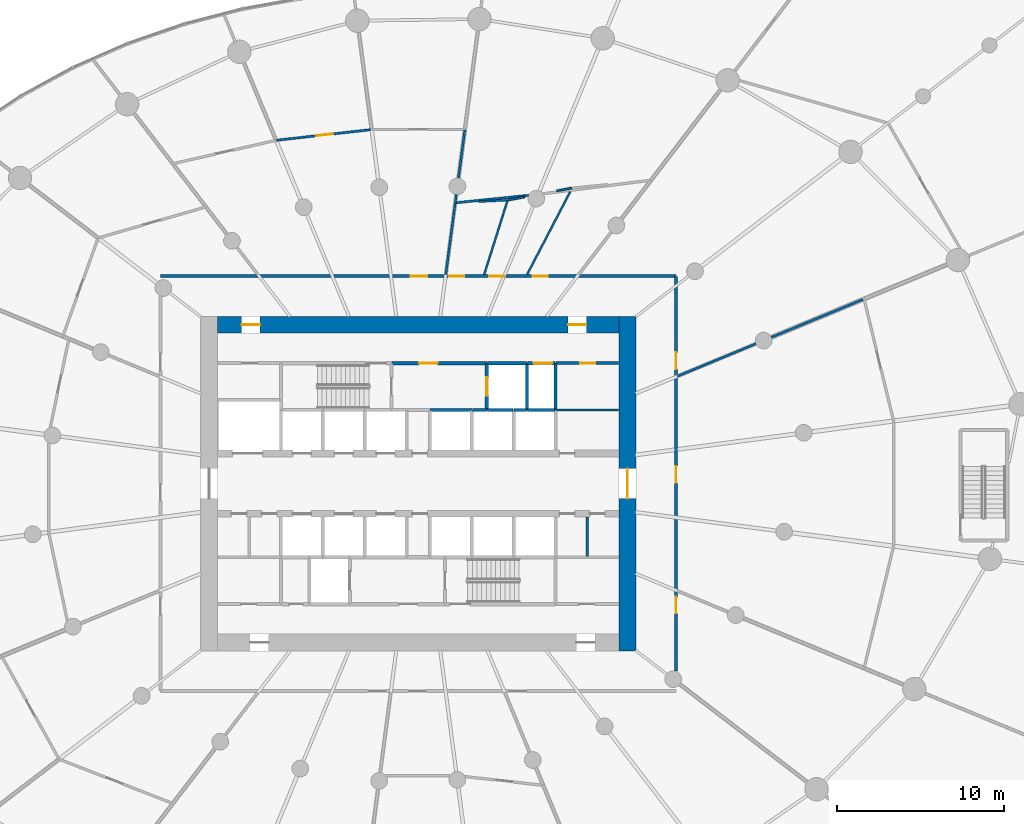
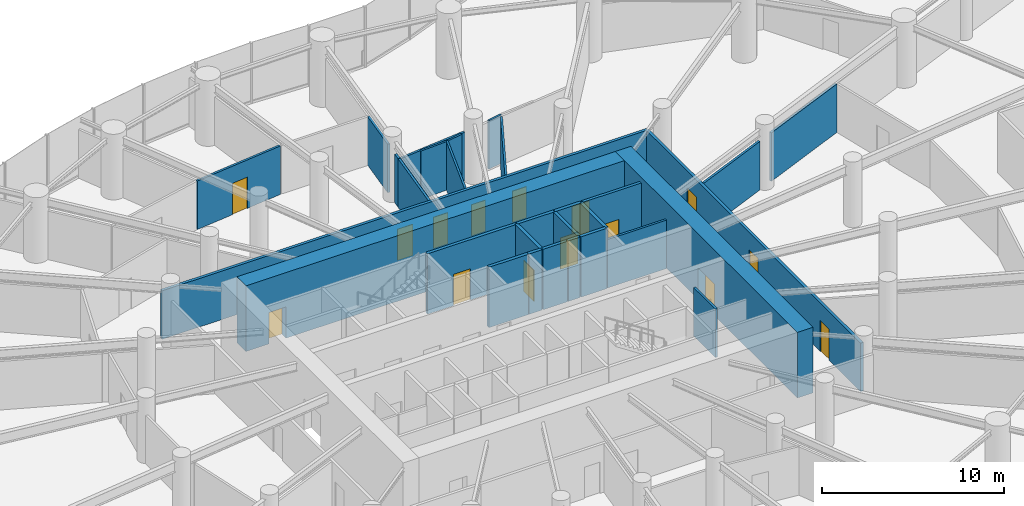
# One storey, part 17 of 24: 30 walls, 15 doors, 15 openings.
"""IFC4 building model written with IfcOpenShell, lengths in metres."""

import ifcopenshell
import ifcopenshell.guid

model = None  # the IFC model being written
_history = None  # IfcOwnerHistory: only IFC2X3 demands one
_inside = {}  # id of a spatial element -> (the spatial element, [elements in it])
_under = {}  # id of a project, library or spatial element -> (it, [spatial elements below it])
_declared = {}  # id of a project -> (the project, [libraries it declares])
_typed = {}  # id of a type object -> (the type object, [elements of that type])
_made_of = {}  # id of a material, layer set ... -> (it, [elements and type objects made of it])


def new_model(schema):
    """Start an empty IFC model of exactly this schema.

    Asked for "IFC4X3", IfcOpenShell would pick the latest addendum, in which some entities
    have other attributes; the version numbers below select the first issue.
    IFC2X3 requires an IfcOwnerHistory on every rooted entity: one is made here for all.
    """
    global model, _history
    if schema == "IFC4X3":
        model = ifcopenshell.file(schema_version=(4, 3, 0, 0))
    else:
        model = ifcopenshell.file(schema=schema)
    _inside.clear()
    _under.clear()
    _declared.clear()
    _typed.clear()
    _made_of.clear()
    _history = None
    if model.schema == "IFC2X3":
        org = make("IfcOrganization", Name="unknown")
        user = make(
            "IfcPersonAndOrganization",
            ThePerson=make("IfcPerson", FamilyName="unknown"),
            TheOrganization=org,
        )
        app = make(
            "IfcApplication",
            ApplicationDeveloper=org,
            Version="unknown",
            ApplicationFullName="unknown",
            ApplicationIdentifier="unknown",
        )
        _history = make(
            "IfcOwnerHistory",
            OwningUser=user,
            OwningApplication=app,
            ChangeAction="ADDED",
            CreationDate=0,
        )
    return model


def make(cls, **values):
    """One entity of the class cls with the attributes given. An attribute that is None is left unset."""
    return model.create_entity(
        cls, **{name: value for name, value in values.items() if value is not None}
    )


def rooted(cls, **values):
    """An entity with a GlobalId (a new one), such as an element, a storey or a relation."""
    return make(cls, GlobalId=ifcopenshell.guid.new(), OwnerHistory=_history, **values)


def si_unit(unit_type, name, prefix=None):
    """IfcSIUnit, for example si_unit("LENGTHUNIT", "METRE", prefix="MILLI")."""
    return make("IfcSIUnit", UnitType=unit_type, Prefix=prefix, Name=name)


def assignment(units):
    """IfcUnitAssignment: the units of a project."""
    return None if units is None else make("IfcUnitAssignment", Units=units)


def point(xyz):
    """IfcCartesianPoint."""
    return None if xyz is None else make("IfcCartesianPoint", Coordinates=xyz)


def direction(xyz):
    """IfcDirection."""
    return None if xyz is None else make("IfcDirection", DirectionRatios=xyz)


def frame(location, z_axis=None, x_axis=None):
    """IfcAxis2Placement3D, a coordinate frame: its origin and axes. An axis left out is left unset."""
    return make(
        "IfcAxis2Placement3D",
        Location=point(location),
        Axis=direction(z_axis),
        RefDirection=direction(x_axis),
    )


def frame_2d(location, x_axis=None):
    """IfcAxis2Placement2D, a coordinate frame in the plane: its origin and x axis."""
    return make(
        "IfcAxis2Placement2D", Location=point(location), RefDirection=direction(x_axis)
    )


def origin():
    """The frame at (0, 0, 0) with its axes left unset."""
    return frame((0.0, 0.0, 0.0))


def place(relative_to, where):
    """IfcLocalPlacement: puts the frame where relative to a parent placement (None: the world)."""
    return make(
        "IfcLocalPlacement", PlacementRelTo=relative_to, RelativePlacement=where
    )


def context(
    kind, dimensions, precision=None, world=None, true_north=None, identifier=None
):
    """IfcGeometricRepresentationContext, for example the 3D "Model" context."""
    return make(
        "IfcGeometricRepresentationContext",
        ContextIdentifier=identifier,
        ContextType=kind,
        CoordinateSpaceDimension=dimensions,
        Precision=precision,
        WorldCoordinateSystem=world,
        TrueNorth=true_north,
    )


def subcontext(parent, identifier, kind, view, scale=None):
    """IfcGeometricRepresentationSubContext, for example "Body" below "Model"."""
    return make(
        "IfcGeometricRepresentationSubContext",
        ContextIdentifier=identifier,
        ContextType=kind,
        ParentContext=parent,
        TargetScale=scale,
        TargetView=view,
    )


def project(units=None, contexts=None):
    """IfcProject with its units and contexts."""
    return rooted(
        "IfcProject",
        Name="project",
        RepresentationContexts=contexts,
        UnitsInContext=assignment(units),
    )


def spatial(cls, under=None, at=None, **own):
    """A site, building, storey or space (cls), placed at a placement, below another one or the project."""
    s = rooted(cls, ObjectPlacement=at, **own)
    if under is not None:
        _under.setdefault(under.id(), (under, []))[1].append(s)
    return s


def profile(cls, at=None, kind="AREA", **sizes):
    """A parametric profile (cls). Its sizes go by their IFC names, for example OverallWidth=200.0."""
    return make(cls, ProfileType=kind, Position=at, **sizes)


def rectangle(**sizes):
    """IfcRectangleProfileDef."""
    return profile("IfcRectangleProfileDef", **sizes)


def extrude(swept, where, along, depth):
    """IfcExtrudedAreaSolid: the profile swept, set in the frame where, extruded along a direction by depth."""
    return make(
        "IfcExtrudedAreaSolid",
        SweptArea=swept,
        Position=where,
        ExtrudedDirection=direction(along),
        Depth=depth,
    )


def shape(context_of_items, identifier, shape_type, items):
    """IfcShapeRepresentation: the items that make up one representation, for example the "Body"."""
    return make(
        "IfcShapeRepresentation",
        ContextOfItems=context_of_items,
        RepresentationIdentifier=identifier,
        RepresentationType=shape_type,
        Items=items,
    )


def source(mapping_origin, context_of_items, identifier, shape_type, items):
    """IfcRepresentationMap: a shape defined once, which mapped items show again and again."""
    return make(
        "IfcRepresentationMap",
        MappingOrigin=mapping_origin,
        MappedRepresentation=shape(context_of_items, identifier, shape_type, items),
    )


def transform(
    local_origin,
    x_axis=None,
    y_axis=None,
    z_axis=None,
    scale=None,
    scale2=None,
    scale3=None,
    uniform=True,
):
    """IfcCartesianTransformationOperator3D, or its non-uniform kind. x_axis, y_axis, z_axis: its Axis1, 2, 3."""
    if uniform:
        return make(
            "IfcCartesianTransformationOperator3D",
            Axis1=direction(x_axis),
            Axis2=direction(y_axis),
            LocalOrigin=point(local_origin),
            Scale=scale,
            Axis3=direction(z_axis),
        )
    return make(
        "IfcCartesianTransformationOperator3DnonUniform",
        Axis1=direction(x_axis),
        Axis2=direction(y_axis),
        LocalOrigin=point(local_origin),
        Scale=scale,
        Axis3=direction(z_axis),
        Scale2=scale2,
        Scale3=scale3,
    )


def mapped(mapping_source, mapping_target):
    """IfcMappedItem: shows the shape of a source again, moved by a transform."""
    return make(
        "IfcMappedItem", MappingSource=mapping_source, MappingTarget=mapping_target
    )


def material(Name=None, Category=None):
    """IfcMaterial."""
    return make("IfcMaterial", Name=Name, Category=Category)


def layer(
    of_material, thickness, ventilated=None, Name=None, Category=None, Priority=None
):
    """IfcMaterialLayer: one layer of a wall or slab, of a material (None: an air gap)."""
    return make(
        "IfcMaterialLayer",
        Material=of_material,
        LayerThickness=thickness,
        IsVentilated=ventilated,
        Name=Name,
        Category=Category,
        Priority=Priority,
    )


def layer_set(layers, Name=None):
    """IfcMaterialLayerSet."""
    return make("IfcMaterialLayerSet", MaterialLayers=layers, LayerSetName=Name)


def made_of(thing, what):
    """Note that an element or type object is made of a material, layer set ...; save() writes the relation."""
    if what is not None:
        _made_of.setdefault(what.id(), (what, []))[1].append(thing)
    return thing


def type_object(cls, material=None, **own):
    """A type object (cls), such as IfcWallType, which elements share."""
    return made_of(rooted(cls, **own), material)


def element(
    cls,
    number,
    at=None,
    inside=None,
    cuts=None,
    type_object=None,
    material=None,
    context=None,
    identifier="Body",
    shape_type=None,
    held_by="IfcProductDefinitionShape",
    body=None,
    shapes=None,
    **own,
):
    """One element of the class cls, such as IfcWall. Its Tag is "e" and its number.

    at: its placement. inside: the storey or other place that contains it. cuts: it is an
    opening in that element (IfcRelVoidsElement). A single representation is given by context,
    identifier, shape_type and body (its items); several are given by shapes. held_by: the class
    of the entity that holds the representations. save() writes the other relations.
    """
    e = rooted(cls, Tag="e%d" % number, ObjectPlacement=at, **own)
    if body is not None:
        shapes = [shape(context, identifier, shape_type, body)]
    if shapes is not None:
        e.Representation = make(held_by, Representations=shapes)
    if inside is not None:
        _inside.setdefault(inside.id(), (inside, []))[1].append(e)
    if cuts is not None:
        rooted(
            "IfcRelVoidsElement", RelatingBuildingElement=cuts, RelatedOpeningElement=e
        )
    if type_object is not None:
        _typed.setdefault(type_object.id(), (type_object, []))[1].append(e)
    return made_of(e, material)


def fill(opening, filler):
    """IfcRelFillsElement: the door or window that sits in an opening."""
    return rooted(
        "IfcRelFillsElement",
        RelatingOpeningElement=opening,
        RelatedBuildingElement=filler,
    )


def aggregate(whole, parts):
    """IfcRelAggregates: a whole, such as a stair, and the parts it consists of."""
    return rooted("IfcRelAggregates", RelatingObject=whole, RelatedObjects=parts)


def save(model, path):
    """Write the relations noted so far, then the file.

    IfcRelAggregates (storeys below a building ...), IfcRelContainedInSpatialStructure (elements
    in a storey), IfcRelDefinesByType, IfcRelAssociatesMaterial and IfcRelDeclares: one each for
    every whole, place, type object, material and project.
    """
    for whole, parts in _under.values():
        aggregate(whole, parts)
    for where, things in _inside.values():
        rooted(
            "IfcRelContainedInSpatialStructure",
            RelatedElements=things,
            RelatingStructure=where,
        )
    for kind, things in _typed.values():
        rooted("IfcRelDefinesByType", RelatedObjects=things, RelatingType=kind)
    for what, things in _made_of.values():
        rooted("IfcRelAssociatesMaterial", RelatedObjects=things, RelatingMaterial=what)
    for by, libraries in _declared.values():
        rooted("IfcRelDeclares", RelatingContext=by, RelatedDefinitions=libraries)
    model.write(path)


model = new_model("IFC4")

# Units and contexts
model_context = context("Model", 3, precision=1e-05, world=origin(), true_north=direction((0.0, 1.0)))
body_context = subcontext(model_context, "Body", "Model", "MODEL_VIEW")
ifc_project = project(units=[si_unit("LENGTHUNIT", "METRE"), si_unit("AREAUNIT", "SQUARE_METRE"), si_unit("VOLUMEUNIT", "CUBIC_METRE"), si_unit("PLANEANGLEUNIT", "RADIAN"), si_unit("MASSUNIT", "GRAM", prefix="KILO")], contexts=[model_context])

# Site, building, storey
site_placement = place(None, origin())
site = spatial("IfcSite", under=ifc_project, at=site_placement, CompositionType="ELEMENT")
building_placement = place(site_placement, origin())
building = spatial("IfcBuilding", under=site, at=building_placement, Name="Spindrift Exchange Tower", CompositionType="ELEMENT")
storey_placement = place(building_placement, frame((0.0, 0.0, 5.0)))
storey = spatial("IfcBuildingStorey", under=building, at=storey_placement, Name="L01", CompositionType="ELEMENT", Elevation=5.0)

# Wall, opening, door
ifc_material_1 = material(Name="Concrete 80 MPa", Category="concrete")
ifc_layer_1 = layer(ifc_material_1, 1.0)
ifc_layer_set_1 = layer_set([ifc_layer_1], Name="RC Core Wall 1000 Concrete 80 MPa")
wall_type_1 = type_object("IfcWallType", Name="RC Core Wall 1000 Concrete 80 MPa", PredefinedType="SHEAR", material=ifc_layer_set_1)
wall_1_placement = place(storey_placement, frame((64.5, 38.0, 0.0), z_axis=(0.0, 0.0, 1.0), x_axis=(0.0, 1.0, 0.0)))
wall_1 = element("IfcWall", 1, at=wall_1_placement, inside=storey, type_object=wall_type_1, Name="Core wall E L01", PredefinedType="SHEAR", context=body_context, shape_type="SweptSolid", body=[
    extrude(rectangle(XDim=20.0, YDim=1.0, at=frame_2d((10.0, 0.0))), origin(), (0.0, 0.0, 1.0), 4.39990234375),
])
opening_1_placement = place(wall_1_placement, frame((9.10009765625, 0.0, 0.0)))
opening_1 = element("IfcOpeningElement", 2, at=opening_1_placement, cuts=wall_1, Name="Opening L01-D2", PredefinedType="OPENING", context=body_context, shape_type="SweptSolid", body=[
    extrude(rectangle(XDim=1.800048828125, YDim=2.10009765625, at=frame_2d((0.89990234375, 1.050048828125))), frame((0.0, 0.510009765625, 0.0), z_axis=(0.0, -1.0, 0.0), x_axis=(1.0, 0.0, 0.0)), (0.0, 0.0, 1.0), 1.02001953125),
])
ifc_material_2 = material(Name="Timber-core fire door", Category="wood")
door_type_1 = type_object("IfcDoorType", Name="DR-LOBBY-1800", OperationType="NOTDEFINED", PredefinedType="DOOR", material=ifc_material_2)
shared_shape_1 = source(origin(), body_context, "Body", "SweptSolid", [
    extrude(rectangle(XDim=1.800048828125, YDim=2.10009765625, at=frame_2d((0.89990234375, 1.050048828125))), frame((0.0, 0.02490234375, 0.0), z_axis=(0.0, -1.0, 0.0), x_axis=(1.0, 0.0, 0.0)), (0.0, 0.0, 1.0), 0.050048828125),
])
door_1_placement = place(opening_1_placement, origin())
door_1 = element("IfcDoor", 3, at=door_1_placement, inside=storey, type_object=door_type_1, Name="L01 Lobby door 2", OperationType="SINGLE_SWING_RIGHT", OverallHeight=2.10009765625, OverallWidth=1.800048828125, PredefinedType="DOOR", context=body_context, shape_type="MappedRepresentation", body=[
    mapped(shared_shape_1, transform((0.0, 0.0, 0.0), scale=1.0)),
])
fill(opening_1, door_1)

# Wall, openings, doors
wall_2_placement = place(storey_placement, frame((64.0, 57.5, 0.0), z_axis=(0.0, 0.0, 1.0), x_axis=(-1.0, 0.0, 0.0)))
wall_2 = element("IfcWall", 4, at=wall_2_placement, inside=storey, type_object=wall_type_1, Name="Core wall N L01", PredefinedType="SHEAR", context=body_context, shape_type="SweptSolid", body=[
    extrude(rectangle(XDim=24.0, YDim=1.0, at=frame_2d((12.0, 0.0))), origin(), (0.0, 0.0, 1.0), 4.39990234375),
])
opening_2_placement = place(wall_2_placement, frame((21.449951171875, 0.0, 0.0)))
opening_2 = element("IfcOpeningElement", 5, at=opening_2_placement, cuts=wall_2, Name="Opening L01-D20", PredefinedType="OPENING", context=body_context, shape_type="SweptSolid", body=[
    extrude(rectangle(XDim=1.10009765625, YDim=2.10009765625, at=frame_2d((0.550048828125, 1.050048828125))), frame((0.0, 0.510009765625, 0.0), z_axis=(0.0, -1.0, 0.0), x_axis=(1.0, 0.0, 0.0)), (0.0, 0.0, 1.0), 1.02001953125),
])
opening_3_placement = place(wall_2_placement, frame((1.949951171875, 0.0, 0.0)))
opening_3 = element("IfcOpeningElement", 6, at=opening_3_placement, cuts=wall_2, Name="Opening L01-D21", PredefinedType="OPENING", context=body_context, shape_type="SweptSolid", body=[
    extrude(rectangle(XDim=1.10009765625, YDim=2.10009765625, at=frame_2d((0.550048828125, 1.050048828125))), frame((0.0, 0.510009765625, 0.0), z_axis=(0.0, -1.0, 0.0), x_axis=(1.0, 0.0, 0.0)), (0.0, 0.0, 1.0), 1.02001953125),
])
ifc_material_3 = material(Name="Steel fire door", Category="steel")
door_type_2 = type_object("IfcDoorType", Name="DR-STAIR-1100", OperationType="NOTDEFINED", PredefinedType="DOOR", material=ifc_material_3)
shared_shape_2 = source(origin(), body_context, "Body", "SweptSolid", [
    extrude(rectangle(XDim=1.10009765625, YDim=2.10009765625, at=frame_2d((0.550048828125, 1.050048828125))), frame((0.0, 0.02490234375, 0.0), z_axis=(0.0, -1.0, 0.0), x_axis=(1.0, 0.0, 0.0)), (0.0, 0.0, 1.0), 0.050048828125),
])
door_2_placement = place(opening_2_placement, origin())
door_2 = element("IfcDoor", 7, at=door_2_placement, inside=storey, type_object=door_type_2, Name="L01 Stair door 20", OperationType="SINGLE_SWING_RIGHT", OverallHeight=2.10009765625, OverallWidth=1.10009765625, PredefinedType="DOOR", context=body_context, shape_type="MappedRepresentation", body=[
    mapped(shared_shape_2, transform((0.0, 0.0, 0.0), scale=1.0)),
])
fill(opening_2, door_2)
door_3_placement = place(opening_3_placement, origin())
door_3 = element("IfcDoor", 8, at=door_3_placement, inside=storey, type_object=door_type_2, Name="L01 Stair door 21", OperationType="SINGLE_SWING_LEFT", OverallHeight=2.10009765625, OverallWidth=1.10009765625, PredefinedType="DOOR", context=body_context, shape_type="MappedRepresentation", body=[
    mapped(shared_shape_2, transform((0.0, 0.0, 0.0), scale=1.0)),
])
fill(opening_3, door_3)

# Wall, opening, door
ifc_material_4 = material(Name="Fire-rated plasterboard partition", Category="gypsum")
ifc_layer_2 = layer(ifc_material_4, 0.179931640625)
ifc_layer_set_2 = layer_set([ifc_layer_2], Name="W-CORR-180")
wall_type_2 = type_object("IfcWallType", Name="W-CORR-180", PredefinedType="PARTITIONING", material=ifc_layer_set_2)
wall_3_placement = place(storey_placement, frame((63.97998046875, 55.199951171875, 0.0), z_axis=(0.0, 0.0, 1.0), x_axis=(-1.0, 0.0, 0.0)))
wall_3 = element("IfcWall", 9, at=wall_3_placement, inside=storey, type_object=wall_type_2, Name="L01 Partition wall 68", PredefinedType="PARTITIONING", context=body_context, shape_type="SweptSolid", body=[
    extrude(rectangle(XDim=3.75, YDim=0.179931640625, at=frame_2d((1.875, 0.0))), origin(), (0.0, 0.0, 1.0), 4.050048828125),
])
opening_4_placement = place(wall_3_placement, frame((1.39990234375, 0.0, 0.0)))
opening_4 = element("IfcOpeningElement", 10, at=opening_4_placement, cuts=wall_3, Name="Opening L01-D57", PredefinedType="OPENING", context=body_context, shape_type="SweptSolid", body=[
    extrude(rectangle(XDim=0.89990234375, YDim=2.10009765625, at=frame_2d((0.449951171875, 1.050048828125))), frame((0.0, 0.099853515625, 0.0), z_axis=(0.0, -1.0, 0.0), x_axis=(1.0, 0.0, 0.0)), (0.0, 0.0, 1.0), 0.199951171875),
])
ifc_material_5 = material(Name="Steel access door", Category="steel")
door_type_3 = type_object("IfcDoorType", Name="DR-RISER-900", OperationType="NOTDEFINED", PredefinedType="DOOR", material=ifc_material_5)
shared_shape_3 = source(origin(), body_context, "Body", "SweptSolid", [
    extrude(rectangle(XDim=0.89990234375, YDim=2.10009765625, at=frame_2d((0.449951171875, 1.050048828125))), frame((0.0, 0.02490234375, 0.0), z_axis=(0.0, -1.0, 0.0), x_axis=(1.0, 0.0, 0.0)), (0.0, 0.0, 1.0), 0.050048828125),
])
door_4_placement = place(opening_4_placement, origin())
door_4 = element("IfcDoor", 11, at=door_4_placement, inside=storey, type_object=door_type_3, Name="L01 Riser door 57", OperationType="SINGLE_SWING_LEFT", OverallHeight=2.10009765625, OverallWidth=0.89990234375, PredefinedType="DOOR", context=body_context, shape_type="MappedRepresentation", body=[
    mapped(shared_shape_3, transform((0.0, 0.0, 0.0), scale=1.0)),
])
fill(opening_4, door_4)

# Walls
ifc_layer_3 = layer(ifc_material_4, 0.139892578125)
ifc_layer_set_3 = layer_set([ifc_layer_3], Name="W-PART-140")
wall_type_3 = type_object("IfcWallType", Name="W-PART-140", PredefinedType="PARTITIONING", material=ifc_layer_set_3)
wall_4_placement = place(storey_placement, frame((53.644287109375, 60.489990234375, 0.0), z_axis=(0.0, 0.0, 1.0), x_axis=(0.130555258319, 0.991441034316, 0.0)))
element("IfcWall", 12, at=wall_4_placement, inside=storey, type_object=wall_type_3, Name="L01 Partition wall 110", PredefinedType="PARTITIONING", context=body_context, shape_type="SweptSolid", body=[
    extrude(rectangle(XDim=4.325439453125, YDim=0.139892578125, at=frame_2d((2.16259765625, 0.0))), origin(), (0.0, 0.0, 1.0), 3.25),
])
wall_5_placement = place(storey_placement, frame((63.97998046875, 52.39990234375, 0.0), z_axis=(0.0, 0.0, 1.0), x_axis=(-1.0, 0.0, 0.0)))
element("IfcWall", 13, at=wall_5_placement, inside=storey, type_object=wall_type_3, Name="L01 Partition wall 123", PredefinedType="PARTITIONING", context=body_context, shape_type="SweptSolid", body=[
    extrude(rectangle(XDim=3.75, YDim=0.139892578125, at=frame_2d((1.875, 0.0))), origin(), (0.0, 0.0, 1.0), 3.25),
])
wall_6_placement = place(storey_placement, frame((62.10009765625, 43.60009765625, 0.0), z_axis=(0.0, 0.0, 1.0), x_axis=(0.0, 1.0, 0.0)))
element("IfcWall", 14, at=wall_6_placement, inside=storey, type_object=wall_type_3, Name="L01 Partition wall 140", PredefinedType="PARTITIONING", context=body_context, shape_type="SweptSolid", body=[
    extrude(rectangle(XDim=2.389892578125, YDim=0.139892578125, at=frame_2d((1.19482421875, 0.0))), origin(), (0.0, 0.0, 1.0), 3.25),
])
ifc_layer_4 = layer(ifc_material_4, 0.1201171875)
ifc_layer_set_4 = layer_set([ifc_layer_4], Name="W-PLANT-120")
wall_type_4 = type_object("IfcWallType", Name="W-PLANT-120", PredefinedType="PARTITIONING", material=ifc_layer_set_4)
wall_7_placement = place(storey_placement, frame((57.277099609375, 64.9365234375, 0.0), z_axis=(0.0, 0.0, 1.0), x_axis=(-0.998675207723, -0.051457064418, 0.0)))
element("IfcWall", 15, at=wall_7_placement, inside=storey, type_object=wall_type_4, Name="L01 Partition wall 167", PredefinedType="PARTITIONING", context=body_context, shape_type="SweptSolid", body=[
    extrude(rectangle(XDim=1.6748046875, YDim=0.1201171875, at=frame_2d((0.83740234375, 0.0))), origin(), (0.0, 0.0, 1.0), 3.25),
])
wall_8_placement = place(storey_placement, frame((61.167236328125, 65.6611328125, 0.0), z_axis=(0.0, 0.0, 1.0), x_axis=(-0.982722635862, -0.18508436175, 0.0)))
element("IfcWall", 16, at=wall_8_placement, inside=storey, type_object=wall_type_4, Name="L01 Partition wall 168", PredefinedType="PARTITIONING", context=body_context, shape_type="SweptSolid", body=[
    extrude(rectangle(XDim=0.907470703125, YDim=0.1201171875, at=frame_2d((0.45361328125, 0.0))), origin(), (0.0, 0.0, 1.0), 3.25),
])
wall_9_placement = place(storey_placement, frame((58.348876953125, 65.130126953125, 0.0), z_axis=(0.0, 0.0, 1.0), x_axis=(-0.982618634889, -0.185635714153, 0.0)))
element("IfcWall", 17, at=wall_9_placement, inside=storey, type_object=wall_type_4, Name="L01 Partition wall 169", PredefinedType="PARTITIONING", context=body_context, shape_type="SweptSolid", body=[
    extrude(rectangle(XDim=0.99560546875, YDim=0.1201171875, at=frame_2d((0.497802734375, 0.0))), origin(), (0.0, 0.0, 1.0), 3.25),
])
ifc_layer_5 = layer(ifc_material_4, 0.139892578125)
ifc_layer_set_5 = layer_set([ifc_layer_5], Name="W-PLANT-140")
wall_type_5 = type_object("IfcWallType", Name="W-PLANT-140", PredefinedType="PARTITIONING", material=ifc_layer_set_5)
wall_10_placement = place(storey_placement, frame((73.10595703125, 56.7421875, 0.0), z_axis=(0.0, 0.0, 1.0), x_axis=(0.923863045068, 0.382723234148, 0.0)))
element("IfcWall", 18, at=wall_10_placement, inside=storey, type_object=wall_type_5, Name="L01 Partition wall 92", PredefinedType="PARTITIONING", context=body_context, shape_type="SweptSolid", body=[
    extrude(rectangle(XDim=5.921142578125, YDim=0.139892578125, at=frame_2d((2.96044921875, 0.0))), origin(), (0.0, 0.0, 1.0), 3.25),
])

# Wall, opening, door
wall_11_placement = place(storey_placement, frame((43.532470703125, 68.517578125, 0.0), z_axis=(0.0, 0.0, 1.0), x_axis=(0.993732576672, 0.111783567936, 0.0)))
wall_11 = element("IfcWall", 19, at=wall_11_placement, inside=storey, type_object=wall_type_5, Name="L01 Partition wall 95", PredefinedType="PARTITIONING", context=body_context, shape_type="SweptSolid", body=[
    extrude(rectangle(XDim=5.64794921875, YDim=0.139892578125, at=frame_2d((2.823974609375, 0.0))), origin(), (0.0, 0.0, 1.0), 3.25),
])
opening_5_placement = place(wall_11_placement, frame((2.39794921875, 0.0, 0.0)))
opening_5 = element("IfcOpeningElement", 20, at=opening_5_placement, cuts=wall_11, Name="Opening L01-D33", PredefinedType="OPENING", context=body_context, shape_type="SweptSolid", body=[
    extrude(rectangle(XDim=1.0, YDim=2.10009765625, at=frame_2d((0.5, 1.050048828125))), frame((0.0, 0.079833984375, 0.0), z_axis=(0.0, -1.0, 0.0), x_axis=(1.0, 0.0, 0.0)), (0.0, 0.0, 1.0), 0.159912109375),
])
door_type_4 = type_object("IfcDoorType", Name="DR-ROOM-1000", OperationType="NOTDEFINED", PredefinedType="DOOR", material=ifc_material_2)
shared_shape_4 = source(origin(), body_context, "Body", "SweptSolid", [
    extrude(rectangle(XDim=1.0, YDim=2.10009765625, at=frame_2d((0.5, 1.050048828125))), frame((0.0, 0.02490234375, 0.0), z_axis=(0.0, -1.0, 0.0), x_axis=(1.0, 0.0, 0.0)), (0.0, 0.0, 1.0), 0.050048828125),
])
door_5_placement = place(opening_5_placement, origin())
door_5 = element("IfcDoor", 21, at=door_5_placement, inside=storey, type_object=door_type_4, Name="L01 Door 33", OperationType="SINGLE_SWING_LEFT", OverallHeight=2.10009765625, OverallWidth=1.0, PredefinedType="DOOR", context=body_context, shape_type="MappedRepresentation", body=[
    mapped(shared_shape_4, transform((0.0, 0.0, 0.0), scale=1.0)),
])
fill(opening_5, door_5)

# Walls
wall_12_placement = place(storey_placement, frame((67.489990234375, 54.416259765625, 0.0), z_axis=(0.0, 0.0, 1.0), x_axis=(0.923890025086, 0.382658100067, 0.0)))
element("IfcWall", 22, at=wall_12_placement, inside=storey, type_object=wall_type_5, Name="L01 Partition wall 104", PredefinedType="PARTITIONING", context=body_context, shape_type="SweptSolid", body=[
    extrude(rectangle(XDim=5.068359375, YDim=0.139892578125, at=frame_2d((2.5341796875, 0.0))), origin(), (0.0, 0.0, 1.0), 3.25),
])
wall_13_placement = place(storey_placement, frame((58.588134765625, 65.224853515625, 0.0), z_axis=(0.0, 0.0, 1.0), x_axis=(-0.994844610693, -0.101411047601, 0.0)))
element("IfcWall", 23, at=wall_13_placement, inside=storey, type_object=wall_type_5, Name="L01 Partition wall 111", PredefinedType="PARTITIONING", context=body_context, shape_type="SweptSolid", body=[
    extrude(rectangle(XDim=4.371826171875, YDim=0.139892578125, at=frame_2d((2.18603515625, 0.0))), origin(), (0.0, 0.0, 1.0), 3.25),
])
wall_14_placement = place(storey_placement, frame((54.405029296875, 66.267333984375, 0.0), z_axis=(0.0, 0.0, 1.0), x_axis=(0.130511436872, 0.99144680384, 0.0)))
element("IfcWall", 24, at=wall_14_placement, inside=storey, type_object=wall_type_5, Name="L01 Partition wall 135", PredefinedType="PARTITIONING", context=body_context, shape_type="SweptSolid", body=[
    extrude(rectangle(XDim=2.884521484375, YDim=0.139892578125, at=frame_2d((1.4423828125, 0.0))), origin(), (0.0, 0.0, 1.0), 3.25),
])
wall_15_placement = place(storey_placement, frame((54.212890625, 64.80810546875, 0.0), z_axis=(0.0, 0.0, 1.0), x_axis=(0.130263517927, 0.991479407702, 0.0)))
element("IfcWall", 25, at=wall_15_placement, inside=storey, type_object=wall_type_5, Name="L01 Partition wall 162", PredefinedType="PARTITIONING", context=body_context, shape_type="SweptSolid", body=[
    extrude(rectangle(XDim=0.462890625, YDim=0.139892578125, at=frame_2d((0.2314453125, 0.0))), origin(), (0.0, 0.0, 1.0), 3.25),
])

# Wall, openings, doors
ifc_layer_6 = layer(ifc_material_4, 0.179931640625)
ifc_layer_set_6 = layer_set([ifc_layer_6], Name="W-PLANT-180")
wall_type_6 = type_object("IfcWallType", Name="W-PLANT-180", PredefinedType="PARTITIONING", material=ifc_layer_set_6)
wall_16_placement = place(storey_placement, frame((36.60009765625, 60.39990234375, 0.0), z_axis=(0.0, 0.0, 1.0), x_axis=(1.0, 0.0, 0.0)))
wall_16 = element("IfcWall", 26, at=wall_16_placement, inside=storey, type_object=wall_type_6, Name="L01 Partition wall 62", PredefinedType="PARTITIONING", context=body_context, shape_type="SweptSolid", body=[
    extrude(rectangle(XDim=30.7998046875, YDim=0.179931640625, at=frame_2d((15.39990234375, 0.0))), origin(), (0.0, 0.0, 1.0), 3.25),
])
opening_6_placement = place(wall_16_placement, frame((22.25, 0.0, 0.0)))
opening_6 = element("IfcOpeningElement", 27, at=opening_6_placement, cuts=wall_16, Name="Opening L01-D28", PredefinedType="OPENING", context=body_context, shape_type="SweptSolid", body=[
    extrude(rectangle(XDim=0.89990234375, YDim=2.10009765625, at=frame_2d((0.449951171875, 1.050048828125))), frame((0.0, 0.099853515625, 0.0), z_axis=(0.0, -1.0, 0.0), x_axis=(1.0, 0.0, 0.0)), (0.0, 0.0, 1.0), 0.199951171875),
])
opening_7_placement = place(wall_16_placement, frame((19.64990234375, 0.0, 0.0)))
opening_7 = element("IfcOpeningElement", 28, at=opening_7_placement, cuts=wall_16, Name="Opening L01-D29", PredefinedType="OPENING", context=body_context, shape_type="SweptSolid", body=[
    extrude(rectangle(XDim=0.89990234375, YDim=2.10009765625, at=frame_2d((0.449951171875, 1.050048828125))), frame((0.0, 0.099853515625, 0.0), z_axis=(0.0, -1.0, 0.0), x_axis=(1.0, 0.0, 0.0)), (0.0, 0.0, 1.0), 0.199951171875),
])
opening_8_placement = place(wall_16_placement, frame((17.25, 0.0, 0.0)))
opening_8 = element("IfcOpeningElement", 29, at=opening_8_placement, cuts=wall_16, Name="Opening L01-D30", PredefinedType="OPENING", context=body_context, shape_type="SweptSolid", body=[
    extrude(rectangle(XDim=0.89990234375, YDim=2.10009765625, at=frame_2d((0.449951171875, 1.050048828125))), frame((0.0, 0.099853515625, 0.0), z_axis=(0.0, -1.0, 0.0), x_axis=(1.0, 0.0, 0.0)), (0.0, 0.0, 1.0), 0.199951171875),
])
opening_9_placement = place(wall_16_placement, frame((14.949951171875, 0.0, 0.0)))
opening_9 = element("IfcOpeningElement", 30, at=opening_9_placement, cuts=wall_16, Name="Opening L01-D31", PredefinedType="OPENING", context=body_context, shape_type="SweptSolid", body=[
    extrude(rectangle(XDim=1.0, YDim=2.10009765625, at=frame_2d((0.5, 1.050048828125))), frame((0.0, 0.099853515625, 0.0), z_axis=(0.0, -1.0, 0.0), x_axis=(1.0, 0.0, 0.0)), (0.0, 0.0, 1.0), 0.199951171875),
])
door_6_placement = place(opening_9_placement, origin())
door_6 = element("IfcDoor", 31, at=door_6_placement, inside=storey, type_object=door_type_4, Name="L01 Door 31", OperationType="SINGLE_SWING_LEFT", OverallHeight=2.10009765625, OverallWidth=1.0, PredefinedType="DOOR", context=body_context, shape_type="MappedRepresentation", body=[
    mapped(shared_shape_4, transform((0.0, 0.0, 0.0), scale=1.0)),
])
fill(opening_9, door_6)
ifc_material_6 = material(Name="Laminate washroom door", Category="wood")
door_type_5 = type_object("IfcDoorType", Name="DR-WC-900", OperationType="NOTDEFINED", PredefinedType="DOOR", material=ifc_material_6)
shared_shape_5 = source(origin(), body_context, "Body", "SweptSolid", [
    extrude(rectangle(XDim=0.89990234375, YDim=2.10009765625, at=frame_2d((0.449951171875, 1.050048828125))), frame((0.0, 0.02490234375, 0.0), z_axis=(0.0, -1.0, 0.0), x_axis=(1.0, 0.0, 0.0)), (0.0, 0.0, 1.0), 0.050048828125),
])
door_7_placement = place(opening_6_placement, origin())
door_7 = element("IfcDoor", 32, at=door_7_placement, inside=storey, type_object=door_type_5, Name="L01 WC door 28", OperationType="SINGLE_SWING_RIGHT", OverallHeight=2.10009765625, OverallWidth=0.89990234375, PredefinedType="DOOR", context=body_context, shape_type="MappedRepresentation", body=[
    mapped(shared_shape_5, transform((0.0, 0.0, 0.0), scale=1.0)),
])
fill(opening_6, door_7)
door_8_placement = place(opening_7_placement, origin())
door_8 = element("IfcDoor", 33, at=door_8_placement, inside=storey, type_object=door_type_5, Name="L01 WC door 29", OperationType="SINGLE_SWING_LEFT", OverallHeight=2.10009765625, OverallWidth=0.89990234375, PredefinedType="DOOR", context=body_context, shape_type="MappedRepresentation", body=[
    mapped(shared_shape_5, transform((0.0, 0.0, 0.0), scale=1.0)),
])
fill(opening_7, door_8)
door_9_placement = place(opening_8_placement, origin())
door_9 = element("IfcDoor", 34, at=door_9_placement, inside=storey, type_object=door_type_5, Name="L01 WC door 30", OperationType="SINGLE_SWING_RIGHT", OverallHeight=2.10009765625, OverallWidth=0.89990234375, PredefinedType="DOOR", context=body_context, shape_type="MappedRepresentation", body=[
    mapped(shared_shape_5, transform((0.0, 0.0, 0.0), scale=1.0)),
])
fill(opening_8, door_9)

wall_17_placement = place(storey_placement, frame((67.39990234375, 60.3701171875, 0.0), z_axis=(0.0, 0.0, 1.0), x_axis=(0.0, -1.0, 0.0)))
wall_17 = element("IfcWall", 35, at=wall_17_placement, inside=storey, type_object=wall_type_6, Name="L01 Partition wall 63", PredefinedType="PARTITIONING", context=body_context, shape_type="SweptSolid", body=[
    extrude(rectangle(XDim=23.58251953125, YDim=0.179931640625, at=frame_2d((11.791259765625, 0.0))), origin(), (0.0, 0.0, 1.0), 3.25),
])
opening_10_placement = place(wall_17_placement, frame((11.33251953125, 0.0, 0.0)))
opening_10 = element("IfcOpeningElement", 36, at=opening_10_placement, cuts=wall_17, Name="Opening L01-D24", PredefinedType="OPENING", context=body_context, shape_type="SweptSolid", body=[
    extrude(rectangle(XDim=1.0, YDim=2.10009765625, at=frame_2d((0.5, 1.050048828125))), frame((0.0, 0.099853515625, 0.0), z_axis=(0.0, -1.0, 0.0), x_axis=(1.0, 0.0, 0.0)), (0.0, 0.0, 1.0), 0.199951171875),
])
opening_11_placement = place(wall_17_placement, frame((4.532470703125, 0.0, 0.0)))
opening_11 = element("IfcOpeningElement", 37, at=opening_11_placement, cuts=wall_17, Name="Opening L01-D26", PredefinedType="OPENING", context=body_context, shape_type="SweptSolid", body=[
    extrude(rectangle(XDim=1.0, YDim=2.10009765625, at=frame_2d((0.5, 1.050048828125))), frame((0.0, 0.099853515625, 0.0), z_axis=(0.0, -1.0, 0.0), x_axis=(1.0, 0.0, 0.0)), (0.0, 0.0, 1.0), 0.199951171875),
])
opening_12_placement = place(wall_17_placement, frame((19.132568359375, 0.0, 0.0)))
opening_12 = element("IfcOpeningElement", 38, at=opening_12_placement, cuts=wall_17, Name="Opening L01-D50", PredefinedType="OPENING", context=body_context, shape_type="SweptSolid", body=[
    extrude(rectangle(XDim=1.0, YDim=2.10009765625, at=frame_2d((0.5, 1.050048828125))), frame((0.0, 0.099853515625, 0.0), z_axis=(0.0, -1.0, 0.0), x_axis=(1.0, 0.0, 0.0)), (0.0, 0.0, 1.0), 0.199951171875),
])
door_10_placement = place(opening_10_placement, origin())
door_10 = element("IfcDoor", 39, at=door_10_placement, inside=storey, type_object=door_type_4, Name="L01 Door 24", OperationType="SINGLE_SWING_RIGHT", OverallHeight=2.10009765625, OverallWidth=1.0, PredefinedType="DOOR", context=body_context, shape_type="MappedRepresentation", body=[
    mapped(shared_shape_4, transform((0.0, 0.0, 0.0), scale=1.0)),
])
fill(opening_10, door_10)
door_11_placement = place(opening_11_placement, origin())
door_11 = element("IfcDoor", 40, at=door_11_placement, inside=storey, type_object=door_type_4, Name="L01 Door 26", OperationType="SINGLE_SWING_RIGHT", OverallHeight=2.10009765625, OverallWidth=1.0, PredefinedType="DOOR", context=body_context, shape_type="MappedRepresentation", body=[
    mapped(shared_shape_4, transform((0.0, 0.0, 0.0), scale=1.0)),
])
fill(opening_11, door_11)
door_12_placement = place(opening_12_placement, origin())
door_12 = element("IfcDoor", 41, at=door_12_placement, inside=storey, type_object=door_type_4, Name="L01 Door 50", OperationType="SINGLE_SWING_RIGHT", OverallHeight=2.10009765625, OverallWidth=1.0, PredefinedType="DOOR", context=body_context, shape_type="MappedRepresentation", body=[
    mapped(shared_shape_4, transform((0.0, 0.0, 0.0), scale=1.0)),
])
fill(opening_12, door_12)

# Wall, opening, door
ifc_material_7 = material(Name="Concrete 40 MPa", Category="concrete")
ifc_layer_7 = layer(ifc_material_7, 0.199951171875)
ifc_layer_set_7 = layer_set([ifc_layer_7], Name="W-SHAFT-200")
wall_type_7 = type_object("IfcWallType", Name="W-SHAFT-200", PredefinedType="SOLIDWALL", material=ifc_layer_set_7)
wall_18_placement = place(storey_placement, frame((56.10009765625, 55.169921875, 0.0), z_axis=(0.0, 0.0, 1.0), x_axis=(0.0, -1.0, 0.0)))
wall_18 = element("IfcWall", 42, at=wall_18_placement, inside=storey, type_object=wall_type_7, Name="L01 Shaft wall 14", PredefinedType="SOLIDWALL", context=body_context, shape_type="SweptSolid", body=[
    extrude(rectangle(XDim=2.77001953125, YDim=0.199951171875, at=frame_2d((1.385009765625, 0.0))), origin(), (0.0, 0.0, 1.0), 4.050048828125),
])
opening_13_placement = place(wall_18_placement, frame((0.820068359375, 0.0, 0.0)))
opening_13 = element("IfcOpeningElement", 43, at=opening_13_placement, cuts=wall_18, Name="Opening L01-D9", PredefinedType="OPENING", context=body_context, shape_type="SweptSolid", body=[
    extrude(rectangle(XDim=1.10009765625, YDim=2.10009765625, at=frame_2d((0.550048828125, 1.050048828125))), frame((0.0, 0.10986328125, 0.0), z_axis=(0.0, -1.0, 0.0), x_axis=(1.0, 0.0, 0.0)), (0.0, 0.0, 1.0), 0.219970703125),
])
ifc_material_8 = material(Name="Stainless steel landing door", Category="steel")
door_type_6 = type_object("IfcDoorType", Name="DR-LANDING-1100-SL", OperationType="DOUBLE_DOOR_SLIDING", PredefinedType="USERDEFINED", material=ifc_material_8)
shared_shape_6 = source(origin(), body_context, "Body", "SweptSolid", [
    extrude(rectangle(XDim=1.10009765625, YDim=2.10009765625, at=frame_2d((0.550048828125, 1.050048828125))), frame((0.0, 0.02490234375, 0.0), z_axis=(0.0, -1.0, 0.0), x_axis=(1.0, 0.0, 0.0)), (0.0, 0.0, 1.0), 0.050048828125),
])
door_13_placement = place(opening_13_placement, origin())
door_13 = element("IfcDoor", 44, at=door_13_placement, inside=storey, type_object=door_type_6, Name="L01 Lift landing door 9", ObjectType="LANDING DOOR", OperationType="DOUBLE_DOOR_SLIDING", OverallHeight=2.10009765625, OverallWidth=1.10009765625, PredefinedType="USERDEFINED", context=body_context, shape_type="MappedRepresentation", body=[
    mapped(shared_shape_6, transform((0.0, 0.0, 0.0), scale=1.0)),
])
fill(opening_13, door_13)

# Walls
for number, where, z_axis, x_axis, name in (
    (45, (58.5, 52.39990234375, 0.0), (0.0, 0.0, 1.0), (0.0, 1.0, 0.0), "L01 Shaft wall 15"),
    (46, (60.199951171875, 52.39990234375, 0.0), (0.0, 0.0, 1.0), (0.0, 1.0, 0.0), "L01 Shaft wall 16"),
):
    element("IfcWall", number, at=place(storey_placement, frame(where, z_axis=z_axis, x_axis=x_axis)), inside=storey, type_object=wall_type_7, Name=name, PredefinedType="SOLIDWALL", context=body_context, shape_type="SweptSolid", body=[
        extrude(rectangle(XDim=2.800048828125, YDim=0.199951171875, at=frame_2d((1.39990234375, 0.0))), origin(), (0.0, 0.0, 1.0), 4.050048828125),
    ])
wall_19_placement = place(storey_placement, frame((55.199951171875, 52.39990234375, 0.0), z_axis=(0.0, 0.0, 1.0), x_axis=(-1.0, 0.0, 0.0)))
element("IfcWall", 47, at=wall_19_placement, inside=storey, type_object=wall_type_7, Name="L01 Shaft wall 22", PredefinedType="SOLIDWALL", context=body_context, shape_type="SweptSolid", body=[
    extrude(rectangle(XDim=2.5, YDim=0.199951171875, at=frame_2d((1.25, 0.0))), origin(), (0.0, 0.0, 1.0), 4.050048828125),
])
wall_20_placement = place(storey_placement, frame((58.469970703125, 55.199951171875, 0.0), z_axis=(0.0, 0.0, 1.0), x_axis=(-1.0, 0.0, 0.0)))
element("IfcWall", 48, at=wall_20_placement, inside=storey, type_object=wall_type_7, Name="L01 Shaft wall 26", PredefinedType="SOLIDWALL", context=body_context, shape_type="SweptSolid", body=[
    extrude(rectangle(XDim=2.340087890625, YDim=0.199951171875, at=frame_2d((1.169921875, 0.0))), origin(), (0.0, 0.0, 1.0), 4.050048828125),
])
wall_21_placement = place(storey_placement, frame((60.169921875, 52.39990234375, 0.0), z_axis=(0.0, 0.0, 1.0), x_axis=(-1.0, 0.0, 0.0)))
element("IfcWall", 49, at=wall_21_placement, inside=storey, type_object=wall_type_7, Name="L01 Shaft wall 46", PredefinedType="SOLIDWALL", context=body_context, shape_type="SweptSolid", body=[
    extrude(rectangle(XDim=1.639892578125, YDim=0.199951171875, at=frame_2d((0.81982421875, 0.0))), origin(), (0.0, 0.0, 1.0), 4.050048828125),
])

# Wall, opening, door
wall_22_placement = place(storey_placement, frame((60.169921875, 55.199951171875, 0.0), z_axis=(0.0, 0.0, 1.0), x_axis=(-1.0, 0.0, 0.0)))
wall_22 = element("IfcWall", 50, at=wall_22_placement, inside=storey, type_object=wall_type_7, Name="L01 Shaft wall 47", PredefinedType="SOLIDWALL", context=body_context, shape_type="SweptSolid", body=[
    extrude(rectangle(XDim=1.639892578125, YDim=0.199951171875, at=frame_2d((0.81982421875, 0.0))), origin(), (0.0, 0.0, 1.0), 4.050048828125),
])
opening_14_placement = place(wall_22_placement, frame((0.169921875, 0.0, 0.0)))
opening_14 = element("IfcOpeningElement", 51, at=opening_14_placement, cuts=wall_22, Name="Opening L01-D11", PredefinedType="OPENING", context=body_context, shape_type="SweptSolid", body=[
    extrude(rectangle(XDim=1.10009765625, YDim=2.10009765625, at=frame_2d((0.550048828125, 1.050048828125))), frame((0.0, 0.10986328125, 0.0), z_axis=(0.0, -1.0, 0.0), x_axis=(1.0, 0.0, 0.0)), (0.0, 0.0, 1.0), 0.219970703125),
])
door_14_placement = place(opening_14_placement, origin())
door_14 = element("IfcDoor", 52, at=door_14_placement, inside=storey, type_object=door_type_6, Name="L01 Lift landing door 11", ObjectType="LANDING DOOR", OperationType="DOUBLE_DOOR_SLIDING", OverallHeight=2.10009765625, OverallWidth=1.10009765625, PredefinedType="USERDEFINED", context=body_context, shape_type="MappedRepresentation", body=[
    mapped(shared_shape_6, transform((0.0, 0.0, 0.0), scale=1.0)),
])
fill(opening_14, door_14)

# Walls
wall_23_placement = place(storey_placement, frame((57.669921875, 52.39990234375, 0.0), z_axis=(0.0, 0.0, 1.0), x_axis=(-1.0, 0.0, 0.0)))
element("IfcWall", 53, at=wall_23_placement, inside=storey, type_object=wall_type_7, Name="L01 Shaft wall 51", PredefinedType="SOLIDWALL", context=body_context, shape_type="SweptSolid", body=[
    extrude(rectangle(XDim=1.5400390625, YDim=0.199951171875, at=frame_2d((0.77001953125, 0.0))), origin(), (0.0, 0.0, 1.0), 4.050048828125),
])
wall_24_placement = place(storey_placement, frame((56.070068359375, 52.39990234375, 0.0), z_axis=(0.0, 0.0, 1.0), x_axis=(-1.0, 0.0, 0.0)))
element("IfcWall", 54, at=wall_24_placement, inside=storey, type_object=wall_type_7, Name="L01 Shaft wall 57", PredefinedType="SOLIDWALL", context=body_context, shape_type="SweptSolid", body=[
    extrude(rectangle(XDim=0.840087890625, YDim=0.199951171875, at=frame_2d((0.419921875, 0.0))), origin(), (0.0, 0.0, 1.0), 4.050048828125),
])
wall_25_placement = place(storey_placement, frame((58.469970703125, 52.39990234375, 0.0), z_axis=(0.0, 0.0, 1.0), x_axis=(-1.0, 0.0, 0.0)))
element("IfcWall", 55, at=wall_25_placement, inside=storey, type_object=wall_type_7, Name="L01 Shaft wall 59", PredefinedType="SOLIDWALL", context=body_context, shape_type="SweptSolid", body=[
    extrude(rectangle(XDim=0.739990234375, YDim=0.199951171875, at=frame_2d((0.3701171875, 0.0))), origin(), (0.0, 0.0, 1.0), 4.050048828125),
])

# Wall, opening, door
ifc_layer_8 = layer(ifc_material_7, 0.199951171875)
ifc_layer_set_8 = layer_set([ifc_layer_8], Name="W-SHAFT-200-LB")
wall_type_8 = type_object("IfcWallType", Name="W-SHAFT-200-LB", PredefinedType="SOLIDWALL", material=ifc_layer_set_8)
wall_26_placement = place(storey_placement, frame((56.10009765625, 55.199951171875, 0.0), z_axis=(0.0, 0.0, 1.0), x_axis=(-1.0, 0.0, 0.0)))
wall_26 = element("IfcWall", 56, at=wall_26_placement, inside=storey, type_object=wall_type_8, Name="L01 Shaft wall 6", PredefinedType="SOLIDWALL", context=body_context, shape_type="SweptSolid", body=[
    extrude(rectangle(XDim=5.670166015625, YDim=0.199951171875, at=frame_2d((2.8349609375, 0.0))), origin(), (0.0, 0.0, 1.0), 4.050048828125),
])
opening_15_placement = place(wall_26_placement, frame((2.949951171875, 0.0, 0.0)))
opening_15 = element("IfcOpeningElement", 57, at=opening_15_placement, cuts=wall_26, Name="Opening L01-D15", PredefinedType="OPENING", context=body_context, shape_type="SweptSolid", body=[
    extrude(rectangle(XDim=1.10009765625, YDim=2.10009765625, at=frame_2d((0.550048828125, 1.050048828125))), frame((0.0, 0.10986328125, 0.0), z_axis=(0.0, -1.0, 0.0), x_axis=(1.0, 0.0, 0.0)), (0.0, 0.0, 1.0), 0.219970703125),
])
door_type_7 = type_object("IfcDoorType", Name="DR-LOBBY-1100", OperationType="NOTDEFINED", PredefinedType="DOOR", material=ifc_material_2)
shared_shape_7 = source(origin(), body_context, "Body", "SweptSolid", [
    extrude(rectangle(XDim=1.10009765625, YDim=2.10009765625, at=frame_2d((0.550048828125, 1.050048828125))), frame((0.0, 0.02490234375, 0.0), z_axis=(0.0, -1.0, 0.0), x_axis=(1.0, 0.0, 0.0)), (0.0, 0.0, 1.0), 0.050048828125),
])
door_15_placement = place(opening_15_placement, origin())
door_15 = element("IfcDoor", 58, at=door_15_placement, inside=storey, type_object=door_type_7, Name="L01 Lobby door 15", OperationType="SINGLE_SWING_LEFT", OverallHeight=2.10009765625, OverallWidth=1.10009765625, PredefinedType="DOOR", context=body_context, shape_type="MappedRepresentation", body=[
    mapped(shared_shape_7, transform((0.0, 0.0, 0.0), scale=1.0)),
])
fill(opening_15, door_15)

# Walls
ifc_layer_9 = layer(ifc_material_4, 0.1201171875)
ifc_layer_set_9 = layer_set([ifc_layer_9], Name="W-WET-120")
wall_type_9 = type_object("IfcWallType", Name="W-WET-120", PredefinedType="PARTITIONING", material=ifc_layer_set_9)
wall_27_placement = place(storey_placement, frame((58.501953125, 60.489990234375, 0.0), z_axis=(0.0, 0.0, 1.0), x_axis=(0.461744214497, 0.887013123002, 0.0)))
element("IfcWall", 59, at=wall_27_placement, inside=storey, type_object=wall_type_9, Name="L01 Partition wall 164", PredefinedType="PARTITIONING", context=body_context, shape_type="SweptSolid", body=[
    extrude(rectangle(XDim=5.595703125, YDim=0.1201171875, at=frame_2d((2.7978515625, 0.0))), origin(), (0.0, 0.0, 1.0), 3.25),
])
wall_28_placement = place(storey_placement, frame((55.93798828125, 60.489990234375, 0.0), z_axis=(0.0, 0.0, 1.0), x_axis=(0.300723137203, 0.95371148402, 0.0)))
element("IfcWall", 60, at=wall_28_placement, inside=storey, type_object=wall_type_9, Name="L01 Partition wall 165", PredefinedType="PARTITIONING", context=body_context, shape_type="SweptSolid", body=[
    extrude(rectangle(XDim=4.665771484375, YDim=0.1201171875, at=frame_2d((2.3330078125, 0.0))), origin(), (0.0, 0.0, 1.0), 3.25),
])

save(model, "model.ifc")
